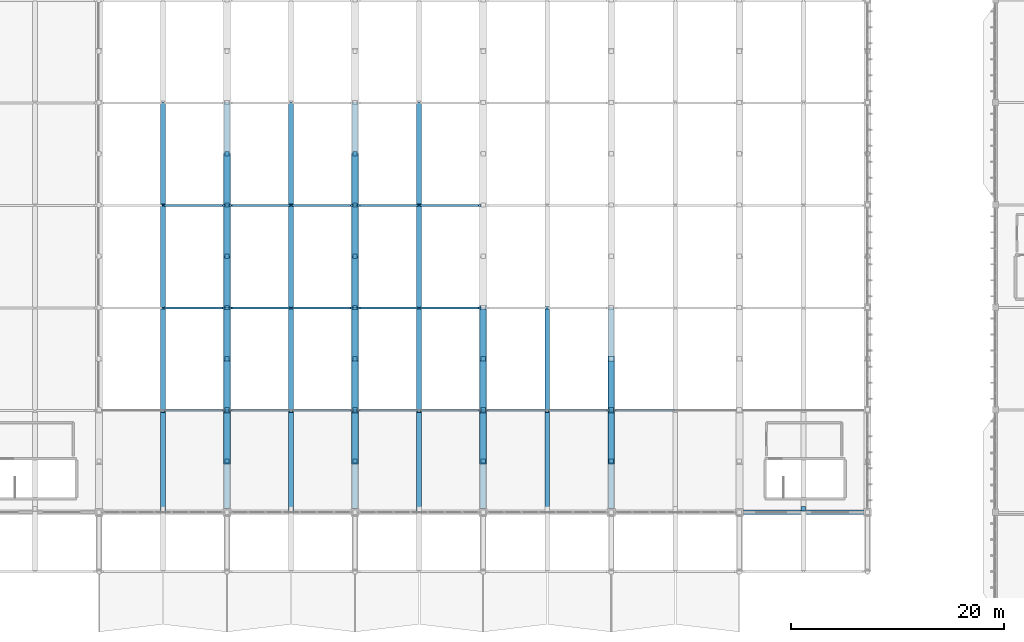
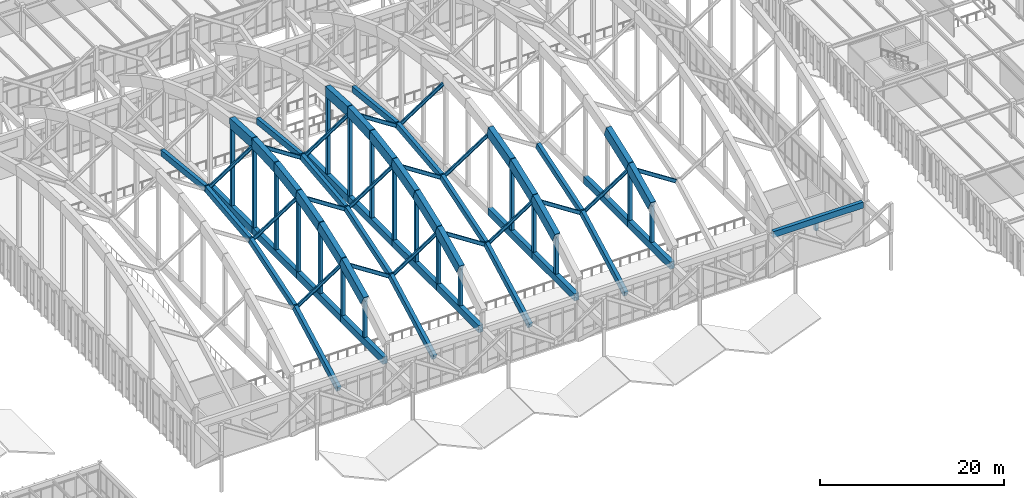
# One storey, part 60 of 236: 45 beams, 37 members.
"""IFC4 building model written with IfcOpenShell, lengths in metres."""

from ifc_helpers import new_model, si_unit, direction, frame, origin, origin_2d, place, context, subcontext, project, spatial, rectangle, i_section, extrude, material, material_profile, profile_set, type_object, element, save


model = new_model("IFC4")

# Units and contexts
model_context = context("Model", 3, precision=1e-05, world=origin(), true_north=direction((0.0, 1.0)))
body_context = subcontext(model_context, "Body", "Model", "MODEL_VIEW")
ifc_project = project(units=[si_unit("LENGTHUNIT", "METRE"), si_unit("AREAUNIT", "SQUARE_METRE"), si_unit("VOLUMEUNIT", "CUBIC_METRE"), si_unit("PLANEANGLEUNIT", "RADIAN"), si_unit("MASSUNIT", "GRAM", prefix="KILO")], contexts=[model_context])

# Site, building, storey
site_placement = place(None, origin())
site = spatial("IfcSite", under=ifc_project, at=site_placement, CompositionType="ELEMENT")
building_placement = place(site_placement, origin())
building = spatial("IfcBuilding", under=site, at=building_placement, Name="Pandanus Reach Market Hall", CompositionType="ELEMENT")
storey_placement = place(building_placement, frame((0.0, 0.0, 5.39990234375)))
storey = spatial("IfcBuildingStorey", under=building, at=storey_placement, Name="L01", CompositionType="ELEMENT", Elevation=5.39990234375)

# Members
ifc_material_1 = material(Name="Concrete N50 (50 MPa)", Category="concrete")
ifc_material_profile_1 = material_profile(ifc_material_1, rectangle(XDim=0.64990234375, YDim=1.35009765625, at=origin_2d()), Name="RC650x1350", Category="LoadBearing")
ifc_profile_set_1 = profile_set([ifc_material_profile_1], Name="Concrete N50 (50 MPa)")
member_type_1 = type_object("IfcMemberType", Name="AR-RC650-E", PredefinedType="CHORD", material=ifc_profile_set_1)
member_1_placement = place(storey_placement, frame((72.0, 33.60009765625, 10.59130859375), z_axis=(0.0, 0.901823476756, 0.43210463637), x_axis=(-1.0, 0.0, 0.0)))
element("IfcMember", 1, at=member_1_placement, inside=storey, type_object=member_type_1, Name="Parabolic arch top chord A3.2", PredefinedType="CHORD", context=body_context, shape_type="SweptSolid", body=[
    extrude(rectangle(XDim=0.64990234375, YDim=1.35009765625, at=origin_2d()), origin(), (0.0, 0.0, 1.0), 5.322265625),
])
member_2_placement = place(storey_placement, frame((72.0, 38.39990234375, 12.89111328125), z_axis=(0.0, 0.937030438748, 0.349247701294), x_axis=(-1.0, 0.0, 0.0)))
element("IfcMember", 2, at=member_2_placement, inside=storey, type_object=member_type_1, Name="Parabolic arch top chord A3.3", PredefinedType="CHORD", context=body_context, shape_type="SweptSolid", body=[
    extrude(rectangle(XDim=0.64990234375, YDim=1.35009765625, at=origin_2d()), origin(), (0.0, 0.0, 1.0), 5.12255859375),
])
member_3_placement = place(storey_placement, frame((72.0, 43.199951171875, 14.68017578125), z_axis=(0.0, 0.966344166189, 0.257252701584), x_axis=(-1.0, 0.0, 0.0)))
element("IfcMember", 3, at=member_3_placement, inside=storey, type_object=member_type_1, Name="Parabolic arch top chord A3.4", PredefinedType="CHORD", context=body_context, shape_type="SweptSolid", body=[
    extrude(rectangle(XDim=0.64990234375, YDim=1.35009765625, at=origin_2d()), origin(), (0.0, 0.0, 1.0), 4.96728515625),
])
member_4_placement = place(storey_placement, frame((72.0, 48.0, 15.9580078125), z_axis=(0.0, 0.987485724156, 0.15770841635), x_axis=(-1.0, 0.0, 0.0)))
element("IfcMember", 4, at=member_4_placement, inside=storey, type_object=member_type_1, Name="Parabolic arch top chord A3.5", PredefinedType="CHORD", context=body_context, shape_type="SweptSolid", body=[
    extrude(rectangle(XDim=0.64990234375, YDim=1.35009765625, at=origin_2d()), origin(), (0.0, 0.0, 1.0), 4.86083984375),
])
member_5_placement = place(storey_placement, frame((72.0, 52.800048828125, 16.724609375), z_axis=(0.0, 0.998587783012, 0.053126637558), x_axis=(-1.0, 0.0, 0.0)))
element("IfcMember", 5, at=member_5_placement, inside=storey, type_object=member_type_1, Name="Parabolic arch top chord A3.6", PredefinedType="CHORD", context=body_context, shape_type="SweptSolid", body=[
    extrude(rectangle(XDim=0.64990234375, YDim=1.35009765625, at=origin_2d()), origin(), (0.0, 0.0, 1.0), 4.806884765625),
])
member_6_placement = place(storey_placement, frame((72.0, 57.60009765625, 16.97998046875), z_axis=(0.0, 0.998587639649, -0.053129332201), x_axis=(-1.0, 0.0, 0.0)))
element("IfcMember", 6, at=member_6_placement, inside=storey, type_object=member_type_1, Name="Parabolic arch top chord A3.7", PredefinedType="CHORD", context=body_context, shape_type="SweptSolid", body=[
    extrude(rectangle(XDim=0.64990234375, YDim=1.35009765625, at=origin_2d()), origin(), (0.0, 0.0, 1.0), 4.806640625),
])
member_7_placement = place(storey_placement, frame((84.0, 33.60009765625, 10.59130859375), z_axis=(0.0, 0.901823476756, 0.43210463637), x_axis=(-1.0, 0.0, 0.0)))
element("IfcMember", 7, at=member_7_placement, inside=storey, type_object=member_type_1, Name="Parabolic arch top chord A4.2", PredefinedType="CHORD", context=body_context, shape_type="SweptSolid", body=[
    extrude(rectangle(XDim=0.64990234375, YDim=1.35009765625, at=origin_2d()), origin(), (0.0, 0.0, 1.0), 5.322265625),
])
member_8_placement = place(storey_placement, frame((84.0, 38.39990234375, 12.89111328125), z_axis=(0.0, 0.937030438748, 0.349247701294), x_axis=(-1.0, 0.0, 0.0)))
element("IfcMember", 8, at=member_8_placement, inside=storey, type_object=member_type_1, Name="Parabolic arch top chord A4.3", PredefinedType="CHORD", context=body_context, shape_type="SweptSolid", body=[
    extrude(rectangle(XDim=0.64990234375, YDim=1.35009765625, at=origin_2d()), origin(), (0.0, 0.0, 1.0), 5.12255859375),
])
member_9_placement = place(storey_placement, frame((84.0, 43.199951171875, 14.68017578125), z_axis=(0.0, 0.966344166189, 0.257252701584), x_axis=(-1.0, 0.0, 0.0)))
element("IfcMember", 9, at=member_9_placement, inside=storey, type_object=member_type_1, Name="Parabolic arch top chord A4.4", PredefinedType="CHORD", context=body_context, shape_type="SweptSolid", body=[
    extrude(rectangle(XDim=0.64990234375, YDim=1.35009765625, at=origin_2d()), origin(), (0.0, 0.0, 1.0), 4.96728515625),
])
member_10_placement = place(storey_placement, frame((84.0, 48.0, 15.9580078125), z_axis=(0.0, 0.987485724156, 0.15770841635), x_axis=(-1.0, 0.0, 0.0)))
element("IfcMember", 10, at=member_10_placement, inside=storey, type_object=member_type_1, Name="Parabolic arch top chord A4.5", PredefinedType="CHORD", context=body_context, shape_type="SweptSolid", body=[
    extrude(rectangle(XDim=0.64990234375, YDim=1.35009765625, at=origin_2d()), origin(), (0.0, 0.0, 1.0), 4.86083984375),
])
member_11_placement = place(storey_placement, frame((84.0, 52.800048828125, 16.724609375), z_axis=(0.0, 0.998587783012, 0.053126637558), x_axis=(-1.0, 0.0, 0.0)))
element("IfcMember", 11, at=member_11_placement, inside=storey, type_object=member_type_1, Name="Parabolic arch top chord A4.6", PredefinedType="CHORD", context=body_context, shape_type="SweptSolid", body=[
    extrude(rectangle(XDim=0.64990234375, YDim=1.35009765625, at=origin_2d()), origin(), (0.0, 0.0, 1.0), 4.806884765625),
])
member_12_placement = place(storey_placement, frame((84.0, 57.60009765625, 16.97998046875), z_axis=(0.0, 0.998587639649, -0.053129332201), x_axis=(-1.0, 0.0, 0.0)))
element("IfcMember", 12, at=member_12_placement, inside=storey, type_object=member_type_1, Name="Parabolic arch top chord A4.7", PredefinedType="CHORD", context=body_context, shape_type="SweptSolid", body=[
    extrude(rectangle(XDim=0.64990234375, YDim=1.35009765625, at=origin_2d()), origin(), (0.0, 0.0, 1.0), 4.806640625),
])
member_13_placement = place(storey_placement, frame((96.0, 33.60009765625, 10.59130859375), z_axis=(0.0, 0.901823476756, 0.43210463637), x_axis=(-1.0, 0.0, 0.0)))
element("IfcMember", 13, at=member_13_placement, inside=storey, type_object=member_type_1, Name="Parabolic arch top chord A5.2", PredefinedType="CHORD", context=body_context, shape_type="SweptSolid", body=[
    extrude(rectangle(XDim=0.64990234375, YDim=1.35009765625, at=origin_2d()), origin(), (0.0, 0.0, 1.0), 5.322265625),
])
member_14_placement = place(storey_placement, frame((96.0, 38.39990234375, 12.89111328125), z_axis=(0.0, 0.937030438748, 0.349247701294), x_axis=(-1.0, 0.0, 0.0)))
element("IfcMember", 14, at=member_14_placement, inside=storey, type_object=member_type_1, Name="Parabolic arch top chord A5.3", PredefinedType="CHORD", context=body_context, shape_type="SweptSolid", body=[
    extrude(rectangle(XDim=0.64990234375, YDim=1.35009765625, at=origin_2d()), origin(), (0.0, 0.0, 1.0), 5.12255859375),
])
member_15_placement = place(storey_placement, frame((96.0, 43.199951171875, 14.68017578125), z_axis=(0.0, 0.966344166189, 0.257252701584), x_axis=(-1.0, 0.0, 0.0)))
element("IfcMember", 15, at=member_15_placement, inside=storey, type_object=member_type_1, Name="Parabolic arch top chord A5.4", PredefinedType="CHORD", context=body_context, shape_type="SweptSolid", body=[
    extrude(rectangle(XDim=0.64990234375, YDim=1.35009765625, at=origin_2d()), origin(), (0.0, 0.0, 1.0), 4.96728515625),
])
member_16_placement = place(storey_placement, frame((108.0, 33.60009765625, 10.59130859375), z_axis=(0.0, 0.901823476756, 0.43210463637), x_axis=(-1.0, 0.0, 0.0)))
element("IfcMember", 16, at=member_16_placement, inside=storey, type_object=member_type_1, Name="Parabolic arch top chord A6.2", PredefinedType="CHORD", context=body_context, shape_type="SweptSolid", body=[
    extrude(rectangle(XDim=0.64990234375, YDim=1.35009765625, at=origin_2d()), origin(), (0.0, 0.0, 1.0), 5.322265625),
])
member_17_placement = place(storey_placement, frame((108.0, 38.39990234375, 12.89111328125), z_axis=(0.0, 0.937030438748, 0.349247701294), x_axis=(-1.0, 0.0, 0.0)))
element("IfcMember", 17, at=member_17_placement, inside=storey, type_object=member_type_1, Name="Parabolic arch top chord A6.3", PredefinedType="CHORD", context=body_context, shape_type="SweptSolid", body=[
    extrude(rectangle(XDim=0.64990234375, YDim=1.35009765625, at=origin_2d()), origin(), (0.0, 0.0, 1.0), 5.12255859375),
])
ifc_material_profile_2 = material_profile(ifc_material_1, rectangle(XDim=0.39990234375, YDim=0.39990234375, at=origin_2d()), Name="RC400x400", Category="LoadBearing")
ifc_profile_set_2 = profile_set([ifc_material_profile_2], Name="Concrete N50 (50 MPa)")
member_type_2 = type_object("IfcMemberType", Name="AR-WEB400-E", PredefinedType="STRUT", material=ifc_profile_set_2)
member_18_placement = place(storey_placement, frame((72.0, 33.60009765625, 5.3251953125), z_axis=(0.0, 0.0, 1.0), x_axis=(1.0, 0.0, 0.0)))
element("IfcMember", 18, at=member_18_placement, inside=storey, type_object=member_type_2, Name="Arch truss vertical web strut A3.1", PredefinedType="STRUT", context=body_context, shape_type="SweptSolid", body=[
    extrude(rectangle(XDim=0.39990234375, YDim=0.39990234375, at=origin_2d()), origin(), (0.0, 0.0, 1.0), 5.26611328125),
])
member_19_placement = place(storey_placement, frame((72.0, 38.39990234375, 5.3251953125), z_axis=(0.0, 0.0, 1.0), x_axis=(1.0, 0.0, 0.0)))
element("IfcMember", 19, at=member_19_placement, inside=storey, type_object=member_type_2, Name="Arch truss vertical web strut A3.2", PredefinedType="STRUT", context=body_context, shape_type="SweptSolid", body=[
    extrude(rectangle(XDim=0.39990234375, YDim=0.39990234375, at=origin_2d()), origin(), (0.0, 0.0, 1.0), 7.56591796875),
])
member_20_placement = place(storey_placement, frame((72.0, 43.199951171875, 5.3251953125), z_axis=(0.0, 0.0, 1.0), x_axis=(1.0, 0.0, 0.0)))
element("IfcMember", 20, at=member_20_placement, inside=storey, type_object=member_type_2, Name="Arch truss vertical web strut A3.3", PredefinedType="STRUT", context=body_context, shape_type="SweptSolid", body=[
    extrude(rectangle(XDim=0.39990234375, YDim=0.39990234375, at=origin_2d()), origin(), (0.0, 0.0, 1.0), 9.35498046875),
])
member_21_placement = place(storey_placement, frame((72.0, 48.0, 5.3251953125), z_axis=(0.0, 0.0, 1.0), x_axis=(1.0, 0.0, 0.0)))
element("IfcMember", 21, at=member_21_placement, inside=storey, type_object=member_type_2, Name="Arch truss vertical web strut A3.4", PredefinedType="STRUT", context=body_context, shape_type="SweptSolid", body=[
    extrude(rectangle(XDim=0.39990234375, YDim=0.39990234375, at=origin_2d()), origin(), (0.0, 0.0, 1.0), 10.6328125),
])
member_22_placement = place(storey_placement, frame((72.0, 52.800048828125, 5.3251953125), z_axis=(0.0, 0.0, 1.0), x_axis=(1.0, 0.0, 0.0)))
element("IfcMember", 22, at=member_22_placement, inside=storey, type_object=member_type_2, Name="Arch truss vertical web strut A3.5", PredefinedType="STRUT", context=body_context, shape_type="SweptSolid", body=[
    extrude(rectangle(XDim=0.39990234375, YDim=0.39990234375, at=origin_2d()), origin(), (0.0, 0.0, 1.0), 11.3994140625),
])
member_23_placement = place(storey_placement, frame((72.0, 57.60009765625, 5.3251953125), z_axis=(0.0, 0.0, 1.0), x_axis=(1.0, 0.0, 0.0)))
element("IfcMember", 23, at=member_23_placement, inside=storey, type_object=member_type_2, Name="Arch truss vertical web strut A3.6", PredefinedType="STRUT", context=body_context, shape_type="SweptSolid", body=[
    extrude(rectangle(XDim=0.39990234375, YDim=0.39990234375, at=origin_2d()), origin(), (0.0, 0.0, 1.0), 11.65478515625),
])
member_24_placement = place(storey_placement, frame((72.0, 62.39990234375, 5.3251953125), z_axis=(0.0, 0.0, 1.0), x_axis=(1.0, 0.0, 0.0)))
element("IfcMember", 24, at=member_24_placement, inside=storey, type_object=member_type_2, Name="Arch truss vertical web strut A3.7", PredefinedType="STRUT", context=body_context, shape_type="SweptSolid", body=[
    extrude(rectangle(XDim=0.39990234375, YDim=0.39990234375, at=origin_2d()), origin(), (0.0, 0.0, 1.0), 11.3994140625),
])
member_25_placement = place(storey_placement, frame((84.0, 33.60009765625, 5.3251953125), z_axis=(0.0, 0.0, 1.0), x_axis=(1.0, 0.0, 0.0)))
element("IfcMember", 25, at=member_25_placement, inside=storey, type_object=member_type_2, Name="Arch truss vertical web strut A4.1", PredefinedType="STRUT", context=body_context, shape_type="SweptSolid", body=[
    extrude(rectangle(XDim=0.39990234375, YDim=0.39990234375, at=origin_2d()), origin(), (0.0, 0.0, 1.0), 5.26611328125),
])
member_26_placement = place(storey_placement, frame((84.0, 38.39990234375, 5.3251953125), z_axis=(0.0, 0.0, 1.0), x_axis=(1.0, 0.0, 0.0)))
element("IfcMember", 26, at=member_26_placement, inside=storey, type_object=member_type_2, Name="Arch truss vertical web strut A4.2", PredefinedType="STRUT", context=body_context, shape_type="SweptSolid", body=[
    extrude(rectangle(XDim=0.39990234375, YDim=0.39990234375, at=origin_2d()), origin(), (0.0, 0.0, 1.0), 7.56591796875),
])
member_27_placement = place(storey_placement, frame((84.0, 43.199951171875, 5.3251953125), z_axis=(0.0, 0.0, 1.0), x_axis=(1.0, 0.0, 0.0)))
element("IfcMember", 27, at=member_27_placement, inside=storey, type_object=member_type_2, Name="Arch truss vertical web strut A4.3", PredefinedType="STRUT", context=body_context, shape_type="SweptSolid", body=[
    extrude(rectangle(XDim=0.39990234375, YDim=0.39990234375, at=origin_2d()), origin(), (0.0, 0.0, 1.0), 9.35498046875),
])
member_28_placement = place(storey_placement, frame((84.0, 48.0, 5.3251953125), z_axis=(0.0, 0.0, 1.0), x_axis=(1.0, 0.0, 0.0)))
element("IfcMember", 28, at=member_28_placement, inside=storey, type_object=member_type_2, Name="Arch truss vertical web strut A4.4", PredefinedType="STRUT", context=body_context, shape_type="SweptSolid", body=[
    extrude(rectangle(XDim=0.39990234375, YDim=0.39990234375, at=origin_2d()), origin(), (0.0, 0.0, 1.0), 10.6328125),
])
member_29_placement = place(storey_placement, frame((84.0, 52.800048828125, 5.3251953125), z_axis=(0.0, 0.0, 1.0), x_axis=(1.0, 0.0, 0.0)))
element("IfcMember", 29, at=member_29_placement, inside=storey, type_object=member_type_2, Name="Arch truss vertical web strut A4.5", PredefinedType="STRUT", context=body_context, shape_type="SweptSolid", body=[
    extrude(rectangle(XDim=0.39990234375, YDim=0.39990234375, at=origin_2d()), origin(), (0.0, 0.0, 1.0), 11.3994140625),
])
member_30_placement = place(storey_placement, frame((84.0, 57.60009765625, 5.3251953125), z_axis=(0.0, 0.0, 1.0), x_axis=(1.0, 0.0, 0.0)))
element("IfcMember", 30, at=member_30_placement, inside=storey, type_object=member_type_2, Name="Arch truss vertical web strut A4.6", PredefinedType="STRUT", context=body_context, shape_type="SweptSolid", body=[
    extrude(rectangle(XDim=0.39990234375, YDim=0.39990234375, at=origin_2d()), origin(), (0.0, 0.0, 1.0), 11.65478515625),
])
member_31_placement = place(storey_placement, frame((84.0, 62.39990234375, 5.3251953125), z_axis=(0.0, 0.0, 1.0), x_axis=(1.0, 0.0, 0.0)))
element("IfcMember", 31, at=member_31_placement, inside=storey, type_object=member_type_2, Name="Arch truss vertical web strut A4.7", PredefinedType="STRUT", context=body_context, shape_type="SweptSolid", body=[
    extrude(rectangle(XDim=0.39990234375, YDim=0.39990234375, at=origin_2d()), origin(), (0.0, 0.0, 1.0), 11.3994140625),
])
member_32_placement = place(storey_placement, frame((96.0, 33.60009765625, 5.3251953125), z_axis=(0.0, 0.0, 1.0), x_axis=(1.0, 0.0, 0.0)))
element("IfcMember", 32, at=member_32_placement, inside=storey, type_object=member_type_2, Name="Arch truss vertical web strut A5.1", PredefinedType="STRUT", context=body_context, shape_type="SweptSolid", body=[
    extrude(rectangle(XDim=0.39990234375, YDim=0.39990234375, at=origin_2d()), origin(), (0.0, 0.0, 1.0), 5.26611328125),
])
member_33_placement = place(storey_placement, frame((96.0, 38.39990234375, 5.3251953125), z_axis=(0.0, 0.0, 1.0), x_axis=(1.0, 0.0, 0.0)))
element("IfcMember", 33, at=member_33_placement, inside=storey, type_object=member_type_2, Name="Arch truss vertical web strut A5.2", PredefinedType="STRUT", context=body_context, shape_type="SweptSolid", body=[
    extrude(rectangle(XDim=0.39990234375, YDim=0.39990234375, at=origin_2d()), origin(), (0.0, 0.0, 1.0), 7.56591796875),
])
member_34_placement = place(storey_placement, frame((96.0, 43.199951171875, 5.3251953125), z_axis=(0.0, 0.0, 1.0), x_axis=(1.0, 0.0, 0.0)))
element("IfcMember", 34, at=member_34_placement, inside=storey, type_object=member_type_2, Name="Arch truss vertical web strut A5.3", PredefinedType="STRUT", context=body_context, shape_type="SweptSolid", body=[
    extrude(rectangle(XDim=0.39990234375, YDim=0.39990234375, at=origin_2d()), origin(), (0.0, 0.0, 1.0), 9.35498046875),
])
member_35_placement = place(storey_placement, frame((108.0, 33.60009765625, 5.3251953125), z_axis=(0.0, 0.0, 1.0), x_axis=(1.0, 0.0, 0.0)))
element("IfcMember", 35, at=member_35_placement, inside=storey, type_object=member_type_2, Name="Arch truss vertical web strut A6.1", PredefinedType="STRUT", context=body_context, shape_type="SweptSolid", body=[
    extrude(rectangle(XDim=0.39990234375, YDim=0.39990234375, at=origin_2d()), origin(), (0.0, 0.0, 1.0), 5.26611328125),
])
member_36_placement = place(storey_placement, frame((108.0, 38.39990234375, 5.3251953125), z_axis=(0.0, 0.0, 1.0), x_axis=(1.0, 0.0, 0.0)))
element("IfcMember", 36, at=member_36_placement, inside=storey, type_object=member_type_2, Name="Arch truss vertical web strut A6.2", PredefinedType="STRUT", context=body_context, shape_type="SweptSolid", body=[
    extrude(rectangle(XDim=0.39990234375, YDim=0.39990234375, at=origin_2d()), origin(), (0.0, 0.0, 1.0), 7.56591796875),
])
member_37_placement = place(storey_placement, frame((126.0, 29.139892578125, 3.739990234375), z_axis=(0.0, 0.0, 1.0), x_axis=(1.0, 0.0, 0.0)))
element("IfcMember", 37, at=member_37_placement, inside=storey, type_object=member_type_2, Name="Butterfly south eave valley hanger B7S", PredefinedType="STRUT", context=body_context, shape_type="SweptSolid", body=[
    extrude(rectangle(XDim=0.39990234375, YDim=0.39990234375, at=origin_2d()), origin(), (0.0, 0.0, 1.0), 1.66015625),
])

# Beams
ifc_material_2 = material(Name="Concrete N40 (40 MPa)", Category="concrete")
ifc_material_profile_3 = material_profile(ifc_material_2, rectangle(XDim=0.449951171875, YDim=0.800048828125, at=origin_2d()), Name="RC450x800", Category="LoadBearing")
ifc_profile_set_3 = profile_set([ifc_material_profile_3], Name="Concrete N40 (40 MPa)")
beam_type_1 = type_object("IfcBeamType", Name="BM-RC450-E", PredefinedType="SPANDREL", material=ifc_profile_set_3)
beam_1_placement = place(storey_placement, frame((120.373046875, 28.800048828125, 5.400146484375), z_axis=(1.0, 0.0, 0.0), x_axis=(0.0, 1.0, 0.0)))
element("IfcBeam", 38, at=beam_1_placement, inside=storey, type_object=beam_type_1, Name="Framing beam BM-RC450-E L01.1144", PredefinedType="SPANDREL", context=body_context, shape_type="SweptSolid", body=[
    extrude(rectangle(XDim=0.449951171875, YDim=0.800048828125, at=origin_2d()), origin(), (0.0, 0.0, 1.0), 11.25390625),
])
ifc_material_profile_4 = material_profile(ifc_material_2, rectangle(XDim=0.449951171875, YDim=0.800048828125, at=origin_2d()), Name="RC450x800", Category="LoadBearing")
ifc_profile_set_4 = profile_set([ifc_material_profile_4], Name="Concrete N40 (40 MPa)")
beam_type_2 = type_object("IfcBeamType", Name="BM-RC450-I", PredefinedType="BEAM", material=ifc_profile_set_4)
beam_2_placement = place(storey_placement, frame((66.0, 28.840087890625, 3.815673828125), z_axis=(0.0, 0.882689208935, 0.469957189996), x_axis=(-1.0, 0.0, 0.0)))
element("IfcBeam", 39, at=beam_2_placement, inside=storey, type_object=beam_type_2, Name="Butterfly valley beam B2.2", PredefinedType="BEAM", context=body_context, shape_type="SweptSolid", body=[
    extrude(rectangle(XDim=0.449951171875, YDim=0.800048828125, at=origin_2d()), origin(), (0.0, 0.0, 1.0), 10.78515625),
])
beam_3_placement = place(storey_placement, frame((66.0, 38.43994140625, 8.918212890625), z_axis=(0.0, 0.952580593406, 0.30428639974), x_axis=(-1.0, 0.0, 0.0)))
element("IfcBeam", 40, at=beam_3_placement, inside=storey, type_object=beam_type_2, Name="Butterfly valley beam B2.3", PredefinedType="BEAM", context=body_context, shape_type="SweptSolid", body=[
    extrude(rectangle(XDim=0.449951171875, YDim=0.800048828125, at=origin_2d()), origin(), (0.0, 0.0, 1.0), 9.993896484375),
])
for number, where, z_axis, x_axis, name in (
    (41, (66.0, 48.0400390625, 11.976318359375), (0.0, 0.99437897786, 0.105879404936), (-1.0, 0.0, 0.0), "Butterfly valley beam B2.4"),
    (42, (66.0, 57.639892578125, 12.989990234375), (0.0, 0.99437897786, -0.105879404936), (-1.0, 0.0, 0.0), "Butterfly valley beam B2.5"),
):
    element("IfcBeam", number, at=place(storey_placement, frame(where, z_axis=z_axis, x_axis=x_axis)), inside=storey, type_object=beam_type_2, Name=name, PredefinedType="BEAM", context=body_context, shape_type="SweptSolid", body=[
        extrude(rectangle(XDim=0.449951171875, YDim=0.800048828125, at=origin_2d()), origin(), (0.0, 0.0, 1.0), 9.57373046875),
    ])
beam_4_placement = place(storey_placement, frame((78.0, 28.840087890625, 3.815673828125), z_axis=(0.0, 0.882689208935, 0.469957189996), x_axis=(-1.0, 0.0, 0.0)))
element("IfcBeam", 43, at=beam_4_placement, inside=storey, type_object=beam_type_2, Name="Butterfly valley beam B3.2", PredefinedType="BEAM", context=body_context, shape_type="SweptSolid", body=[
    extrude(rectangle(XDim=0.449951171875, YDim=0.800048828125, at=origin_2d()), origin(), (0.0, 0.0, 1.0), 10.78515625),
])
beam_5_placement = place(storey_placement, frame((78.0, 38.43994140625, 8.918212890625), z_axis=(0.0, 0.952580593406, 0.30428639974), x_axis=(-1.0, 0.0, 0.0)))
element("IfcBeam", 44, at=beam_5_placement, inside=storey, type_object=beam_type_2, Name="Butterfly valley beam B3.3", PredefinedType="BEAM", context=body_context, shape_type="SweptSolid", body=[
    extrude(rectangle(XDim=0.449951171875, YDim=0.800048828125, at=origin_2d()), origin(), (0.0, 0.0, 1.0), 9.993896484375),
])
for number, where, z_axis, x_axis, name in (
    (45, (78.0, 48.0400390625, 11.976318359375), (0.0, 0.99437897786, 0.105879404936), (-1.0, 0.0, 0.0), "Butterfly valley beam B3.4"),
    (46, (78.0, 57.639892578125, 12.989990234375), (0.0, 0.99437897786, -0.105879404936), (-1.0, 0.0, 0.0), "Butterfly valley beam B3.5"),
):
    element("IfcBeam", number, at=place(storey_placement, frame(where, z_axis=z_axis, x_axis=x_axis)), inside=storey, type_object=beam_type_2, Name=name, PredefinedType="BEAM", context=body_context, shape_type="SweptSolid", body=[
        extrude(rectangle(XDim=0.449951171875, YDim=0.800048828125, at=origin_2d()), origin(), (0.0, 0.0, 1.0), 9.57373046875),
    ])
beam_6_placement = place(storey_placement, frame((90.0, 28.840087890625, 3.815673828125), z_axis=(0.0, 0.882689208935, 0.469957189996), x_axis=(-1.0, 0.0, 0.0)))
element("IfcBeam", 47, at=beam_6_placement, inside=storey, type_object=beam_type_2, Name="Butterfly valley beam B4.2", PredefinedType="BEAM", context=body_context, shape_type="SweptSolid", body=[
    extrude(rectangle(XDim=0.449951171875, YDim=0.800048828125, at=origin_2d()), origin(), (0.0, 0.0, 1.0), 10.78515625),
])
beam_7_placement = place(storey_placement, frame((90.0, 38.43994140625, 8.918212890625), z_axis=(0.0, 0.952580593406, 0.30428639974), x_axis=(-1.0, 0.0, 0.0)))
element("IfcBeam", 48, at=beam_7_placement, inside=storey, type_object=beam_type_2, Name="Butterfly valley beam B4.3", PredefinedType="BEAM", context=body_context, shape_type="SweptSolid", body=[
    extrude(rectangle(XDim=0.449951171875, YDim=0.800048828125, at=origin_2d()), origin(), (0.0, 0.0, 1.0), 9.993896484375),
])
for number, where, z_axis, x_axis, name in (
    (49, (90.0, 48.0400390625, 11.976318359375), (0.0, 0.99437897786, 0.105879404936), (-1.0, 0.0, 0.0), "Butterfly valley beam B4.4"),
    (50, (90.0, 57.639892578125, 12.989990234375), (0.0, 0.99437897786, -0.105879404936), (-1.0, 0.0, 0.0), "Butterfly valley beam B4.5"),
):
    element("IfcBeam", number, at=place(storey_placement, frame(where, z_axis=z_axis, x_axis=x_axis)), inside=storey, type_object=beam_type_2, Name=name, PredefinedType="BEAM", context=body_context, shape_type="SweptSolid", body=[
        extrude(rectangle(XDim=0.449951171875, YDim=0.800048828125, at=origin_2d()), origin(), (0.0, 0.0, 1.0), 9.57373046875),
    ])
beam_8_placement = place(storey_placement, frame((102.0, 28.840087890625, 3.815673828125), z_axis=(0.0, 0.882689208935, 0.469957189996), x_axis=(-1.0, 0.0, 0.0)))
element("IfcBeam", 51, at=beam_8_placement, inside=storey, type_object=beam_type_2, Name="Butterfly valley beam B5.2", PredefinedType="BEAM", context=body_context, shape_type="SweptSolid", body=[
    extrude(rectangle(XDim=0.449951171875, YDim=0.800048828125, at=origin_2d()), origin(), (0.0, 0.0, 1.0), 10.78515625),
])
beam_9_placement = place(storey_placement, frame((102.0, 38.43994140625, 8.918212890625), z_axis=(0.0, 0.952580593406, 0.30428639974), x_axis=(-1.0, 0.0, 0.0)))
element("IfcBeam", 52, at=beam_9_placement, inside=storey, type_object=beam_type_2, Name="Butterfly valley beam B5.3", PredefinedType="BEAM", context=body_context, shape_type="SweptSolid", body=[
    extrude(rectangle(XDim=0.449951171875, YDim=0.800048828125, at=origin_2d()), origin(), (0.0, 0.0, 1.0), 9.993896484375),
])
ifc_material_profile_5 = material_profile(ifc_material_1, rectangle(XDim=0.550048828125, YDim=0.949951171875, at=origin_2d()), Name="RC550x950", Category="LoadBearing")
ifc_profile_set_5 = profile_set([ifc_material_profile_5], Name="Concrete N50 (50 MPa)")
beam_type_3 = type_object("IfcBeamType", Name="BM-RC550-I", PredefinedType="BEAM", material=ifc_profile_set_5)
beam_10_placement = place(storey_placement, frame((72.0, 29.173095703125, 5.3251953125), z_axis=(0.0, 1.0, 0.0), x_axis=(-1.0, 0.0, 0.0)))
element("IfcBeam", 53, at=beam_10_placement, inside=storey, type_object=beam_type_3, Name="Parabolic arch tie girder A3.1", PredefinedType="BEAM", context=body_context, shape_type="SweptSolid", body=[
    extrude(rectangle(XDim=0.550048828125, YDim=0.949951171875, at=origin_2d()), origin(), (0.0, 0.0, 1.0), 9.226806640625),
])
for number, where, z_axis, x_axis, name in (
    (54, (72.0, 38.39990234375, 5.3251953125), (0.0, 1.0, 0.0), (-1.0, 0.0, 0.0), "Parabolic arch tie girder A3.2"),
    (55, (72.0, 48.0, 5.3251953125), (0.0, 1.0, 0.0), (-1.0, 0.0, 0.0), "Parabolic arch tie girder A3.3"),
):
    element("IfcBeam", number, at=place(storey_placement, frame(where, z_axis=z_axis, x_axis=x_axis)), inside=storey, type_object=beam_type_3, Name=name, PredefinedType="BEAM", context=body_context, shape_type="SweptSolid", body=[
        extrude(rectangle(XDim=0.550048828125, YDim=0.949951171875, at=origin_2d()), origin(), (0.0, 0.0, 1.0), 9.60009765625),
    ])
beam_11_placement = place(storey_placement, frame((72.0, 57.60009765625, 5.3251953125), z_axis=(0.0, 1.0, 0.0), x_axis=(-1.0, 0.0, 0.0)))
element("IfcBeam", 56, at=beam_11_placement, inside=storey, type_object=beam_type_3, Name="Parabolic arch tie girder A3.4", PredefinedType="BEAM", context=body_context, shape_type="SweptSolid", body=[
    extrude(rectangle(XDim=0.550048828125, YDim=0.949951171875, at=origin_2d()), origin(), (0.0, 0.0, 1.0), 9.599853515625),
])
beam_12_placement = place(storey_placement, frame((84.0, 29.173095703125, 5.3251953125), z_axis=(0.0, 1.0, 0.0), x_axis=(-1.0, 0.0, 0.0)))
element("IfcBeam", 57, at=beam_12_placement, inside=storey, type_object=beam_type_3, Name="Parabolic arch tie girder A4.1", PredefinedType="BEAM", context=body_context, shape_type="SweptSolid", body=[
    extrude(rectangle(XDim=0.550048828125, YDim=0.949951171875, at=origin_2d()), origin(), (0.0, 0.0, 1.0), 9.226806640625),
])
for number, where, z_axis, x_axis, name in (
    (58, (84.0, 38.39990234375, 5.3251953125), (0.0, 1.0, 0.0), (-1.0, 0.0, 0.0), "Parabolic arch tie girder A4.2"),
    (59, (84.0, 48.0, 5.3251953125), (0.0, 1.0, 0.0), (-1.0, 0.0, 0.0), "Parabolic arch tie girder A4.3"),
):
    element("IfcBeam", number, at=place(storey_placement, frame(where, z_axis=z_axis, x_axis=x_axis)), inside=storey, type_object=beam_type_3, Name=name, PredefinedType="BEAM", context=body_context, shape_type="SweptSolid", body=[
        extrude(rectangle(XDim=0.550048828125, YDim=0.949951171875, at=origin_2d()), origin(), (0.0, 0.0, 1.0), 9.60009765625),
    ])
beam_13_placement = place(storey_placement, frame((84.0, 57.60009765625, 5.3251953125), z_axis=(0.0, 1.0, 0.0), x_axis=(-1.0, 0.0, 0.0)))
element("IfcBeam", 60, at=beam_13_placement, inside=storey, type_object=beam_type_3, Name="Parabolic arch tie girder A4.4", PredefinedType="BEAM", context=body_context, shape_type="SweptSolid", body=[
    extrude(rectangle(XDim=0.550048828125, YDim=0.949951171875, at=origin_2d()), origin(), (0.0, 0.0, 1.0), 9.599853515625),
])
beam_14_placement = place(storey_placement, frame((96.0, 29.173095703125, 5.3251953125), z_axis=(0.0, 1.0, 0.0), x_axis=(-1.0, 0.0, 0.0)))
element("IfcBeam", 61, at=beam_14_placement, inside=storey, type_object=beam_type_3, Name="Parabolic arch tie girder A5.1", PredefinedType="BEAM", context=body_context, shape_type="SweptSolid", body=[
    extrude(rectangle(XDim=0.550048828125, YDim=0.949951171875, at=origin_2d()), origin(), (0.0, 0.0, 1.0), 9.226806640625),
])
beam_15_placement = place(storey_placement, frame((96.0, 38.39990234375, 5.3251953125), z_axis=(0.0, 1.0, 0.0), x_axis=(-1.0, 0.0, 0.0)))
element("IfcBeam", 62, at=beam_15_placement, inside=storey, type_object=beam_type_3, Name="Parabolic arch tie girder A5.2", PredefinedType="BEAM", context=body_context, shape_type="SweptSolid", body=[
    extrude(rectangle(XDim=0.550048828125, YDim=0.949951171875, at=origin_2d()), origin(), (0.0, 0.0, 1.0), 9.60009765625),
])
beam_16_placement = place(storey_placement, frame((108.0, 29.173095703125, 5.3251953125), z_axis=(0.0, 1.0, 0.0), x_axis=(-1.0, 0.0, 0.0)))
element("IfcBeam", 63, at=beam_16_placement, inside=storey, type_object=beam_type_3, Name="Parabolic arch tie girder A6.1", PredefinedType="BEAM", context=body_context, shape_type="SweptSolid", body=[
    extrude(rectangle(XDim=0.550048828125, YDim=0.949951171875, at=origin_2d()), origin(), (0.0, 0.0, 1.0), 9.226806640625),
])
beam_17_placement = place(storey_placement, frame((108.0, 38.39990234375, 5.3251953125), z_axis=(0.0, 1.0, 0.0), x_axis=(-1.0, 0.0, 0.0)))
element("IfcBeam", 64, at=beam_17_placement, inside=storey, type_object=beam_type_3, Name="Parabolic arch tie girder A6.2", PredefinedType="BEAM", context=body_context, shape_type="SweptSolid", body=[
    extrude(rectangle(XDim=0.550048828125, YDim=0.949951171875, at=origin_2d()), origin(), (0.0, 0.0, 1.0), 9.60009765625),
])
ifc_material_3 = material(Name="Steel Grade 350 (350 MPa)", Category="steel")
ifc_material_profile_6 = material_profile(ifc_material_3, i_section(OverallWidth=0.18994140625, OverallDepth=0.45703125, WebThickness=0.009033203125, FlangeThickness=0.014404296875, at=origin_2d()), Name="460UB74.6", Category="LoadBearing")
ifc_profile_set_6 = profile_set([ifc_material_profile_6], Name="Steel Grade 350 (350 MPa)")
beam_type_4 = type_object("IfcBeamType", Name="BM-UB460-I", PredefinedType="BEAM", material=ifc_profile_set_6)
for number, where, z_axis, x_axis, name in (
    (65, (66.219970703125, 38.360107421875, 8.88427734375), (0.839070527962, 0.0, 0.544022654956), (0.0, 1.0, 0.0), "Butterfly transverse rib B2.2R"),
    (66, (66.219970703125, 47.9599609375, 11.959228515625), (0.839070527962, 0.0, 0.544022654956), (0.0, 1.0, 0.0), "Butterfly transverse rib B2.3R"),
    (67, (66.219970703125, 57.56005859375, 12.989990234375), (0.839070527962, 0.0, 0.544022654956), (0.0, 1.0, 0.0), "Butterfly transverse rib B2.4R"),
    (68, (72.320068359375, 38.360107421875, 12.42431640625), (0.839070527962, 0.0, -0.544022654956), (0.0, 1.0, 0.0), "Butterfly transverse rib B3.2L"),
    (69, (78.219970703125, 38.360107421875, 8.88427734375), (0.839070527962, 0.0, 0.544022654956), (0.0, 1.0, 0.0), "Butterfly transverse rib B3.2R"),
    (70, (72.320068359375, 47.9599609375, 15.499267578125), (0.839070527962, 0.0, -0.544022654956), (0.0, 1.0, 0.0), "Butterfly transverse rib B3.3L"),
    (71, (78.219970703125, 47.9599609375, 11.959228515625), (0.839070527962, 0.0, 0.544022654956), (0.0, 1.0, 0.0), "Butterfly transverse rib B3.3R"),
    (72, (72.320068359375, 57.56005859375, 16.530029296875), (0.839070527962, 0.0, -0.544022654956), (0.0, 1.0, 0.0), "Butterfly transverse rib B3.4L"),
    (73, (78.219970703125, 57.56005859375, 12.989990234375), (0.839070527962, 0.0, 0.544022654956), (0.0, 1.0, 0.0), "Butterfly transverse rib B3.4R"),
    (74, (84.320068359375, 38.360107421875, 12.42431640625), (0.839070527962, 0.0, -0.544022654956), (0.0, 1.0, 0.0), "Butterfly transverse rib B4.2L"),
    (75, (90.219970703125, 38.360107421875, 8.88427734375), (0.839070527962, 0.0, 0.544022654956), (0.0, 1.0, 0.0), "Butterfly transverse rib B4.2R"),
    (76, (84.320068359375, 47.9599609375, 15.499267578125), (0.839070527962, 0.0, -0.544022654956), (0.0, 1.0, 0.0), "Butterfly transverse rib B4.3L"),
    (77, (90.219970703125, 47.9599609375, 11.959228515625), (0.839070527962, 0.0, 0.544022654956), (0.0, 1.0, 0.0), "Butterfly transverse rib B4.3R"),
    (78, (84.320068359375, 57.56005859375, 16.530029296875), (0.839070527962, 0.0, -0.544022654956), (0.0, 1.0, 0.0), "Butterfly transverse rib B4.4L"),
    (79, (90.219970703125, 57.56005859375, 12.989990234375), (0.839070527962, 0.0, 0.544022654956), (0.0, 1.0, 0.0), "Butterfly transverse rib B4.4R"),
    (80, (96.320068359375, 38.360107421875, 12.42431640625), (0.839070527962, 0.0, -0.544022654956), (0.0, 1.0, 0.0), "Butterfly transverse rib B5.2L"),
    (81, (102.219970703125, 38.360107421875, 8.88427734375), (0.839070527962, 0.0, 0.544022654956), (0.0, 1.0, 0.0), "Butterfly transverse rib B5.2R"),
    (82, (108.320068359375, 38.360107421875, 12.42431640625), (0.839070527962, 0.0, -0.544022654956), (0.0, 1.0, 0.0), "Butterfly transverse rib B6.2L"),
):
    element("IfcBeam", number, at=place(storey_placement, frame(where, z_axis=z_axis, x_axis=x_axis)), inside=storey, type_object=beam_type_4, Name=name, PredefinedType="BEAM", context=body_context, shape_type="SweptSolid", body=[
        extrude(i_section(OverallWidth=0.18994140625, OverallDepth=0.45703125, WebThickness=0.009033203125, FlangeThickness=0.014404296875, at=origin_2d()), origin(), (0.0, 0.0, 1.0), 6.507080078125),
    ])

save(model, "model.ifc")
